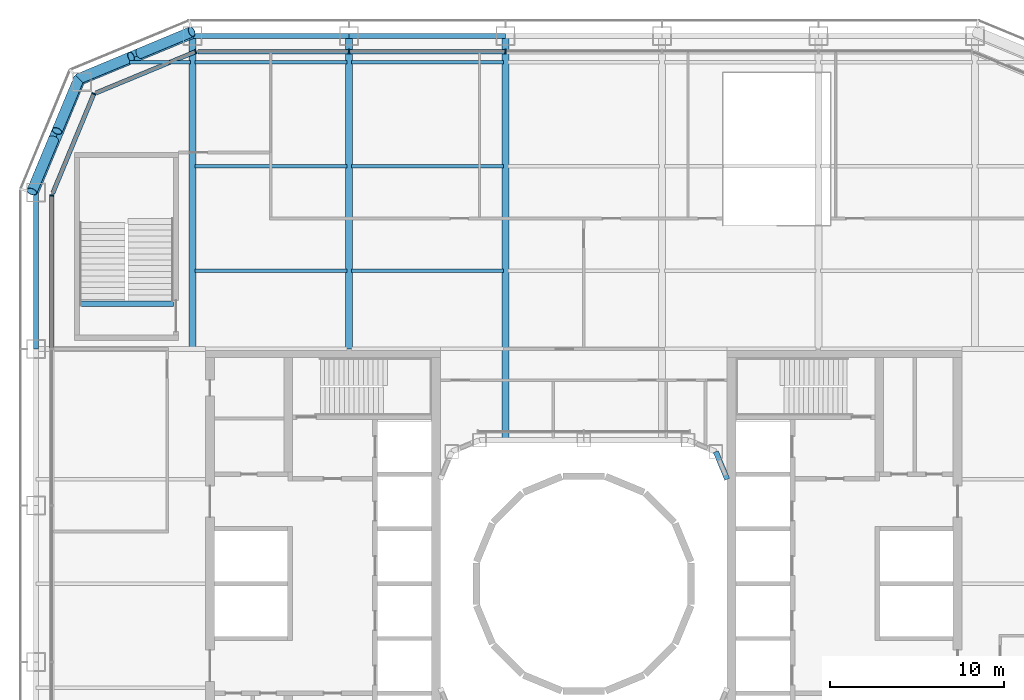
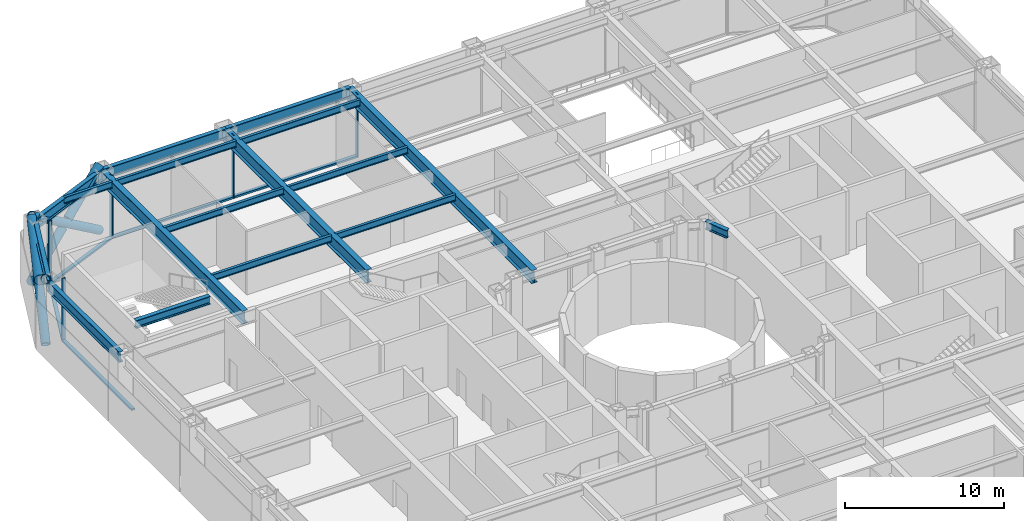
# One storey, part 7 of 24: 17 beams, 16 members, 4 elements without a shape of their own.
"""IFC4 building model written with IfcOpenShell, lengths in metres."""

from ifc_helpers import new_model, si_unit, direction, frame, origin, origin_2d, place, context, subcontext, project, spatial, rectangle, hollow_circle, i_section, extrude, material, layer, layer_set, material_profile, profile_set, type_object, element, aggregate, save


model = new_model("IFC4")

# Units and contexts
model_context = context("Model", 3, precision=1e-05, world=origin(), true_north=direction((0.0, 1.0)))
body_context = subcontext(model_context, "Body", "Model", "MODEL_VIEW")
ifc_project = project(units=[si_unit("LENGTHUNIT", "METRE"), si_unit("AREAUNIT", "SQUARE_METRE"), si_unit("VOLUMEUNIT", "CUBIC_METRE"), si_unit("PLANEANGLEUNIT", "RADIAN"), si_unit("MASSUNIT", "GRAM", prefix="KILO")], contexts=[model_context])

# Site, building, storey
site_placement = place(None, origin())
site = spatial("IfcSite", under=ifc_project, at=site_placement, CompositionType="ELEMENT")
building_placement = place(site_placement, origin())
building = spatial("IfcBuilding", under=site, at=building_placement, Name="Siwar Civic Tower", CompositionType="ELEMENT")
storey_placement = place(building_placement, frame((0.0, 0.0, 12.199951171875)))
storey = spatial("IfcBuildingStorey", under=building, at=storey_placement, Name="L02", CompositionType="ELEMENT", Elevation=12.199951171875)

# Curtain wall, members
ifc_material_1 = material(Name="Aluminium and glass", Category="aluminium")
ifc_layer_1 = layer(ifc_material_1, 0.25)
ifc_layer_set_1 = layer_set([ifc_layer_1], Name="Aluminium and glass")
curtain_wall_type_1 = type_object("IfcCurtainWallType", Name="ENV-CW-H", PredefinedType="NOTDEFINED", material=ifc_layer_set_1)
curtain_wall_1_placement = place(storey_placement, origin())
curtain_wall_1 = element("IfcCurtainWall", 1, at=curtain_wall_1_placement, inside=storey, type_object=curtain_wall_type_1, Name="Curtain wall H N", PredefinedType="NOTDEFINED")
ifc_material_2 = material(Name="Aluminium 6063-T6", Category="aluminium")
ifc_material_profile_1 = material_profile(ifc_material_2, rectangle(XDim=0.25, YDim=0.080078125, at=origin_2d()), Name="AL 250x80")
ifc_profile_set_1 = profile_set([ifc_material_profile_1], Name="Aluminium 6063-T6")
member_type_1 = type_object("IfcMemberType", Name="ENV-MULLION-H", PredefinedType="MULLION", material=ifc_profile_set_1)
member_1_placement = place(storey_placement, frame((-4.5, 30.60009765625, 0.0), z_axis=(0.0, 0.0, 1.0), x_axis=(0.0, -1.0, 0.0)))
member_1 = element("IfcMember", 2, at=member_1_placement, type_object=member_type_1, Name="Mullion H N 4", PredefinedType="MULLION", context=body_context, shape_type="SweptSolid", body=[
    extrude(rectangle(XDim=0.25, YDim=0.080078125, at=origin_2d()), origin(), (0.0, 0.0, 1.0), 4.85009765625),
])
member_2_placement = place(storey_placement, frame((-13.5, 30.60009765625, 0.0), z_axis=(0.0, 0.0, 1.0), x_axis=(0.0, -1.0, 0.0)))
member_2 = element("IfcMember", 3, at=member_2_placement, type_object=member_type_1, Name="Mullion H N 5", PredefinedType="MULLION", context=body_context, shape_type="SweptSolid", body=[
    extrude(rectangle(XDim=0.25, YDim=0.080078125, at=origin_2d()), origin(), (0.0, 0.0, 1.0), 4.85009765625),
])

# Curtain wall, member
ifc_material_3 = material(Name="Aluminium clad insulated panel", Category="aluminium")
ifc_layer_2 = layer(ifc_material_3, 0.25)
ifc_layer_set_2 = layer_set([ifc_layer_2], Name="Aluminium clad insulated panel")
curtain_wall_type_2 = type_object("IfcCurtainWallType", Name="ENV-CW-HX", PredefinedType="NOTDEFINED", material=ifc_layer_set_2)
curtain_wall_2_placement = place(storey_placement, origin())
curtain_wall_2 = element("IfcCurtainWall", 4, at=curtain_wall_2_placement, inside=storey, type_object=curtain_wall_type_2, Name="Curtain wall H NW1", PredefinedType="NOTDEFINED")
member_3_placement = place(storey_placement, frame((-22.321044921875, 30.60009765625, 0.0), z_axis=(0.0, 0.0, 1.0), x_axis=(0.382683432365, -0.923879532511, 0.0)))
member_3 = element("IfcMember", 5, at=member_3_placement, type_object=member_type_1, Name="Mullion H NW1 1", PredefinedType="MULLION", context=body_context, shape_type="SweptSolid", body=[
    extrude(rectangle(XDim=0.25, YDim=0.080078125, at=origin_2d()), origin(), (0.0, 0.0, 1.0), 4.85009765625),
])

curtain_wall_3_placement = place(storey_placement, origin())
curtain_wall_3 = element("IfcCurtainWall", 6, at=curtain_wall_3_placement, inside=storey, type_object=curtain_wall_type_2, Name="Curtain wall H NW2", PredefinedType="NOTDEFINED")
member_4_placement = place(storey_placement, frame((-28.175048828125, 28.175048828125, 0.0), z_axis=(0.0, 0.0, 1.0), x_axis=(0.923879532511, -0.382683432365, 0.0)))
member_4 = element("IfcMember", 7, at=member_4_placement, type_object=member_type_1, Name="Mullion H NW2 1", PredefinedType="MULLION", context=body_context, shape_type="SweptSolid", body=[
    extrude(rectangle(XDim=0.25, YDim=0.080078125, at=origin_2d()), origin(), (0.0, 0.0, 1.0), 4.85009765625),
])

curtain_wall_4_placement = place(storey_placement, origin())
curtain_wall_4 = element("IfcCurtainWall", 8, at=curtain_wall_4_placement, inside=storey, type_object=curtain_wall_type_1, Name="Curtain wall H W", PredefinedType="NOTDEFINED")
member_5_placement = place(storey_placement, frame((-30.60009765625, 22.321044921875, 0.0), z_axis=(0.0, 0.0, 1.0), x_axis=(1.0, 0.0, 0.0)))
member_5 = element("IfcMember", 9, at=member_5_placement, type_object=member_type_1, Name="Mullion H W 1", PredefinedType="MULLION", context=body_context, shape_type="SweptSolid", body=[
    extrude(rectangle(XDim=0.25, YDim=0.080078125, at=origin_2d()), origin(), (0.0, 0.0, 1.0), 4.85009765625),
])

# Member
ifc_material_4 = material(Name="Aluminium 6063-T6", Category="aluminium")
ifc_material_profile_2 = material_profile(ifc_material_4, rectangle(XDim=0.25, YDim=0.139892578125, at=origin_2d()), Name="AL 250x140")
ifc_profile_set_2 = profile_set([ifc_material_profile_2], Name="Aluminium 6063-T6")
member_type_2 = type_object("IfcMemberType", Name="ENV-TRANSOM-H", PredefinedType="USERDEFINED", material=ifc_profile_set_2)
member_6_placement = place(storey_placement, frame((-4.5400390625, 30.60009765625, 0.070068359375), z_axis=(-1.0, 0.0, 0.0), x_axis=(0.0, -1.0, 0.0)))
member_6 = element("IfcMember", 10, at=member_6_placement, type_object=member_type_2, Name="Transom H N 4", ObjectType="TRANSOM", PredefinedType="USERDEFINED", context=body_context, shape_type="SweptSolid", body=[
    extrude(rectangle(XDim=0.25, YDim=0.139892578125, at=origin_2d()), origin(), (0.0, 0.0, 1.0), 8.919921875),
])

member_7_placement = place(storey_placement, frame((-13.5400390625, 30.60009765625, 0.070068359375), z_axis=(-1.0, 0.0, 0.0), x_axis=(0.0, -1.0, 0.0)))
member_7 = element("IfcMember", 11, at=member_7_placement, type_object=member_type_2, Name="Transom H N 5", ObjectType="TRANSOM", PredefinedType="USERDEFINED", context=body_context, shape_type="SweptSolid", body=[
    extrude(rectangle(XDim=0.25, YDim=0.139892578125, at=origin_2d()), origin(), (0.0, 0.0, 1.0), 8.644287109375),
])

aggregate(curtain_wall_1, [member_1, member_2, member_6, member_7])

member_8_placement = place(storey_placement, frame((-22.35791015625, 30.584716796875, 0.070068359375), z_axis=(-0.92388399052, -0.382672669604, 0.0), x_axis=(0.382672669604, -0.92388399052, 0.0)))
member_8 = element("IfcMember", 12, at=member_8_placement, type_object=member_type_2, Name="Transom H NW1 1", ObjectType="TRANSOM", PredefinedType="USERDEFINED", context=body_context, shape_type="SweptSolid", body=[
    extrude(rectangle(XDim=0.25, YDim=0.139892578125, at=origin_2d()), origin(), (0.0, 0.0, 1.0), 6.15966796875),
])

aggregate(curtain_wall_2, [member_3, member_8])

member_9_placement = place(storey_placement, frame((-28.1904296875, 28.13818359375, 0.070068359375), z_axis=(-0.382672669604, -0.92388399052, 0.0), x_axis=(0.92388399052, -0.382672669604, 0.0)))
member_9 = element("IfcMember", 13, at=member_9_placement, type_object=member_type_2, Name="Transom H NW2 1", ObjectType="TRANSOM", PredefinedType="USERDEFINED", context=body_context, shape_type="SweptSolid", body=[
    extrude(rectangle(XDim=0.25, YDim=0.139892578125, at=origin_2d()), origin(), (0.0, 0.0, 1.0), 6.15966796875),
])

aggregate(curtain_wall_3, [member_4, member_9])

member_10_placement = place(storey_placement, frame((-30.60009765625, 22.281005859375, 0.070068359375), z_axis=(0.0, -1.0, 0.0), x_axis=(1.0, 0.0, 0.0)))
member_10 = element("IfcMember", 14, at=member_10_placement, type_object=member_type_2, Name="Transom H W 1", ObjectType="TRANSOM", PredefinedType="USERDEFINED", context=body_context, shape_type="SweptSolid", body=[
    extrude(rectangle(XDim=0.25, YDim=0.139892578125, at=origin_2d()), origin(), (0.0, 0.0, 1.0), 8.740966796875),
])

aggregate(curtain_wall_4, [member_5, member_10])

# Members
ifc_material_5 = material(Name="Steel S355", Category="steel")
ifc_material_profile_3 = material_profile(ifc_material_5, hollow_circle(Radius=0.304931640625, WallThickness=0.030029296875, at=origin_2d()), Name="CHS610x30")
ifc_profile_set_3 = profile_set([ifc_material_profile_3], Name="Steel S355")
member_type_3 = type_object("IfcMemberType", Name="STR-BR-CHS610x30", PredefinedType="BRACE", material=ifc_profile_set_3)
member_11_placement = place(storey_placement, frame((-31.7451171875, 22.548828125, 0.0), z_axis=(0.313403721941, 0.752344350468, 0.579444635312), x_axis=(-0.923108759191, 0.384538969033, 0.0)))
element("IfcMember", 15, at=member_11_placement, inside=storey, type_object=member_type_3, Name="L02/brc/ANW1-1-0-1", PredefinedType="BRACE", context=body_context, shape_type="SweptSolid", body=[
    extrude(hollow_circle(Radius=0.304931640625, WallThickness=0.030029296875, at=origin_2d()), origin(), (0.0, 0.0, 1.0), 8.62890625),
])
for number, where, z_axis, x_axis, name in (
    (16, (-29.040771484375, 29.040771484375, 0.0), (-0.313373422739, -0.752340560323, 0.5794659431), (0.923121267833, -0.384508939914, 0.0), "L02/brc/ANW1-1-0-2"),
    (17, (-30.49267578125, 25.5556640625, 2.684326171875), (-0.313384515382, -0.752367191316, 0.57942536616), (0.923121267833, -0.384508939914, 0.0), "L02/brc/ANW1-1-0-3"),
):
    element("IfcMember", number, at=place(storey_placement, frame(where, z_axis=z_axis, x_axis=x_axis)), inside=storey, type_object=member_type_3, Name=name, PredefinedType="BRACE", context=body_context, shape_type="SweptSolid", body=[
        extrude(hollow_circle(Radius=0.304931640625, WallThickness=0.030029296875, at=origin_2d()), origin(), (0.0, 0.0, 1.0), 3.99658203125),
    ])
member_12_placement = place(storey_placement, frame((-22.548828125, 31.7451171875, 0.0), z_axis=(-0.752344350468, -0.313403721941, 0.579444635312), x_axis=(0.384538969033, -0.923108759191, 0.0)))
element("IfcMember", 18, at=member_12_placement, inside=storey, type_object=member_type_3, Name="L02/brc/ANW1-1-0-0", PredefinedType="BRACE", context=body_context, shape_type="SweptSolid", body=[
    extrude(hollow_circle(Radius=0.304931640625, WallThickness=0.030029296875, at=origin_2d()), origin(), (0.0, 0.0, 1.0), 8.62890625),
])
for number, where, z_axis, x_axis, name in (
    (19, (-29.040771484375, 29.040771484375, 0.0), (0.752340560323, 0.313373422739, 0.5794659431), (-0.384508939914, 0.923121267833, 0.0), "L02/brc/ANW1-1-0-4"),
    (20, (-25.5556640625, 30.49267578125, 2.684326171875), (0.752367191316, 0.313384515382, 0.57942536616), (-0.384508939914, 0.923121267833, 0.0), "L02/brc/ANW1-1-0-5"),
):
    element("IfcMember", number, at=place(storey_placement, frame(where, z_axis=z_axis, x_axis=x_axis)), inside=storey, type_object=member_type_3, Name=name, PredefinedType="BRACE", context=body_context, shape_type="SweptSolid", body=[
        extrude(hollow_circle(Radius=0.304931640625, WallThickness=0.030029296875, at=origin_2d()), origin(), (0.0, 0.0, 1.0), 3.99658203125),
    ])

# Beams
ifc_material_6 = material(Name="Steel S355", Category="steel")
ifc_material_profile_4 = material_profile(ifc_material_6, i_section(OverallWidth=0.199951171875, OverallDepth=0.5, WebThickness=0.01025390625, FlangeThickness=0.01611328125, FilletRadius=0.02099609375, at=origin_2d()), Name="IPE500")
ifc_profile_set_4 = profile_set([ifc_material_profile_4], Name="Steel S355")
beam_type_1 = type_object("IfcBeamType", Name="STR-FB-IPE500", PredefinedType="JOIST", material=ifc_profile_set_4)
for number, where, z_axis, x_axis, name in (
    (21, (-22.3701171875, 18.0, 4.60009765625), (1.0, 0.0, 0.0), (0.0, 1.0, 0.0), "L02/bm/F044"),
    (22, (-13.3701171875, 18.0, 4.60009765625), (1.0, 0.0, 0.0), (0.0, 1.0, 0.0), "L02/bm/F045"),
    (23, (-22.3701171875, 24.0, 4.60009765625), (1.0, 0.0, 0.0), (0.0, 1.0, 0.0), "L02/bm/F050"),
    (24, (-13.3701171875, 24.0, 4.60009765625), (1.0, 0.0, 0.0), (0.0, 1.0, 0.0), "L02/bm/F051"),
):
    element("IfcBeam", number, at=place(storey_placement, frame(where, z_axis=z_axis, x_axis=x_axis)), inside=storey, type_object=beam_type_1, Name=name, PredefinedType="JOIST", context=body_context, shape_type="SweptSolid", body=[
        extrude(i_section(OverallWidth=0.199951171875, OverallDepth=0.5, WebThickness=0.01025390625, FlangeThickness=0.01611328125, FilletRadius=0.02099609375, at=origin_2d()), origin(), (0.0, 0.0, 1.0), 8.740234375),
    ])
beam_1_placement = place(storey_placement, frame((-26.121337890625, 30.0, 4.60009765625), z_axis=(1.0, 0.0, 0.0), x_axis=(0.0, 1.0, 0.0)))
element("IfcBeam", 25, at=beam_1_placement, inside=storey, type_object=beam_type_1, Name="L02/bm/F056", PredefinedType="JOIST", context=body_context, shape_type="SweptSolid", body=[
    extrude(i_section(OverallWidth=0.199951171875, OverallDepth=0.5, WebThickness=0.01025390625, FlangeThickness=0.01611328125, FilletRadius=0.02099609375, at=origin_2d()), origin(), (0.0, 0.0, 1.0), 3.491455078125),
])
for number, where, z_axis, x_axis, name in (
    (26, (-22.3701171875, 30.0, 4.60009765625), (1.0, 0.0, 0.0), (0.0, 1.0, 0.0), "L02/bm/F057"),
    (27, (-13.3701171875, 30.0, 4.60009765625), (1.0, 0.0, 0.0), (0.0, 1.0, 0.0), "L02/bm/F058"),
):
    element("IfcBeam", number, at=place(storey_placement, frame(where, z_axis=z_axis, x_axis=x_axis)), inside=storey, type_object=beam_type_1, Name=name, PredefinedType="JOIST", context=body_context, shape_type="SweptSolid", body=[
        extrude(i_section(OverallWidth=0.199951171875, OverallDepth=0.5, WebThickness=0.01025390625, FlangeThickness=0.01611328125, FilletRadius=0.02099609375, at=origin_2d()), origin(), (0.0, 0.0, 1.0), 8.740234375),
    ])
ifc_material_7 = material(Name="Steel S355", Category="steel")
ifc_material_profile_5 = material_profile(ifc_material_7, i_section(OverallWidth=0.39990234375, OverallDepth=1.0, WebThickness=0.01611328125, FlangeThickness=0.0400390625, at=origin_2d()), Name="PG1000x400x16x40")
ifc_profile_set_5 = profile_set([ifc_material_profile_5], Name="Steel S355")
beam_type_2 = type_object("IfcBeamType", Name="STR-PG-PG1000x400x16x40", PredefinedType="BEAM", material=ifc_profile_set_5)
for number, where, z_axis, x_axis, name in (
    (28, (-22.5, 13.5, 4.35009765625), (0.0, 1.0, 0.0), (-1.0, 0.0, 0.0), "L02/bm/G02"),
    (29, (-13.5, 13.5, 4.35009765625), (0.0, 1.0, 0.0), (-1.0, 0.0, 0.0), "L02/bm/G04"),
):
    element("IfcBeam", number, at=place(storey_placement, frame(where, z_axis=z_axis, x_axis=x_axis)), inside=storey, type_object=beam_type_2, Name=name, PredefinedType="BEAM", context=body_context, shape_type="SweptSolid", body=[
        extrude(i_section(OverallWidth=0.39990234375, OverallDepth=1.0, WebThickness=0.01611328125, FlangeThickness=0.0400390625, at=origin_2d()), origin(), (0.0, 0.0, 1.0), 18.0),
    ])
beam_2_placement = place(storey_placement, frame((-4.5, 8.25, 4.35009765625), z_axis=(0.0, 1.0, 0.0), x_axis=(-1.0, 0.0, 0.0)))
element("IfcBeam", 30, at=beam_2_placement, inside=storey, type_object=beam_type_2, Name="L02/bm/G06", PredefinedType="BEAM", context=body_context, shape_type="SweptSolid", body=[
    extrude(i_section(OverallWidth=0.39990234375, OverallDepth=1.0, WebThickness=0.01611328125, FlangeThickness=0.0400390625, at=origin_2d()), origin(), (0.0, 0.0, 1.0), 23.25),
])
ifc_material_8 = material(Name="Steel S355", Category="steel")
ifc_material_profile_6 = material_profile(ifc_material_8, i_section(OverallWidth=0.304931640625, OverallDepth=0.6201171875, WebThickness=0.02099609375, FlangeThickness=0.0400390625, FilletRadius=0.027099609375, at=origin_2d()), Name="HEM600")
ifc_profile_set_6 = profile_set([ifc_material_profile_6], Name="Steel S355")
beam_type_3 = type_object("IfcBeamType", Name="STR-RB-HEM600", PredefinedType="BEAM", material=ifc_profile_set_6)
beam_3_placement = place(storey_placement, frame((7.591064453125, 7.591064453125, 4.5400390625), z_axis=(0.382631424892, -0.923901072997, 0.0), x_axis=(0.923901072997, 0.382631424892, 0.0)))
element("IfcBeam", 31, at=beam_3_placement, inside=storey, type_object=beam_type_3, Name="L02/bm/RNEE", PredefinedType="BEAM", context=body_context, shape_type="SweptSolid", body=[
    extrude(i_section(OverallWidth=0.304931640625, OverallDepth=0.6201171875, WebThickness=0.02099609375, FlangeThickness=0.0400390625, FilletRadius=0.027099609375, at=origin_2d()), origin(), (0.0, 0.0, 1.0), 1.72216796875),
])
beam_4_placement = place(storey_placement, frame((-29.0, 16.097412109375, 4.5400390625), z_axis=(1.0, 0.0, 0.0), x_axis=(0.0, 1.0, 0.0)))
element("IfcBeam", 32, at=beam_4_placement, inside=storey, type_object=beam_type_3, Name="Stair opening beam ST5", PredefinedType="BEAM", context=body_context, shape_type="SweptSolid", body=[
    extrude(i_section(OverallWidth=0.304931640625, OverallDepth=0.6201171875, WebThickness=0.02099609375, FlangeThickness=0.0400390625, FilletRadius=0.027099609375, at=origin_2d()), origin(), (0.0, 0.0, 1.0), 5.39990234375),
])
ifc_material_9 = material(Name="Steel S355", Category="steel")
ifc_material_profile_7 = material_profile(ifc_material_9, i_section(OverallWidth=0.302978515625, OverallDepth=0.81396484375, WebThickness=0.02099609375, FlangeThickness=0.0400390625, FilletRadius=0.030029296875, at=origin_2d()), Name="HEM800")
ifc_profile_set_7 = profile_set([ifc_material_profile_7], Name="Steel S355")
beam_type_4 = type_object("IfcBeamType", Name="STR-SB-HEM800", PredefinedType="BEAM", material=ifc_profile_set_7)
for number, where, z_axis, x_axis, name in (
    (33, (-4.5, 31.5, 4.443115234375), (-1.0, 0.0, 0.0), (0.0, -1.0, 0.0), "L02/bm/SN-3"),
    (34, (-13.5, 31.5, 4.443115234375), (-1.0, 0.0, 0.0), (0.0, -1.0, 0.0), "L02/bm/SN-4"),
):
    element("IfcBeam", number, at=place(storey_placement, frame(where, z_axis=z_axis, x_axis=x_axis)), inside=storey, type_object=beam_type_4, Name=name, PredefinedType="BEAM", context=body_context, shape_type="SweptSolid", body=[
        extrude(i_section(OverallWidth=0.302978515625, OverallDepth=0.81396484375, WebThickness=0.02099609375, FlangeThickness=0.0400390625, FilletRadius=0.030029296875, at=origin_2d()), origin(), (0.0, 0.0, 1.0), 9.0),
    ])
for number, where, z_axis, x_axis, name in (
    (35, (-22.5, 31.5, 4.443115234375), (-0.923883353507, -0.382674207535, 0.0), (0.382674207535, -0.923883353507, 0.0), "L02/bm/SNW1-0"),
    (36, (-28.864013671875, 28.864013671875, 4.443115234375), (-0.382674207535, -0.923883353507, 0.0), (0.923883353507, -0.382674207535, 0.0), "L02/bm/SNW2-0"),
):
    element("IfcBeam", number, at=place(storey_placement, frame(where, z_axis=z_axis, x_axis=x_axis)), inside=storey, type_object=beam_type_4, Name=name, PredefinedType="BEAM", context=body_context, shape_type="SweptSolid", body=[
        extrude(i_section(OverallWidth=0.302978515625, OverallDepth=0.81396484375, WebThickness=0.02099609375, FlangeThickness=0.0400390625, FilletRadius=0.030029296875, at=origin_2d()), origin(), (0.0, 0.0, 1.0), 6.888427734375),
    ])
beam_5_placement = place(storey_placement, frame((-31.5, 22.5, 4.443115234375), z_axis=(0.0, -1.0, 0.0), x_axis=(1.0, 0.0, 0.0)))
element("IfcBeam", 37, at=beam_5_placement, inside=storey, type_object=beam_type_4, Name="L02/bm/SW-0", PredefinedType="BEAM", context=body_context, shape_type="SweptSolid", body=[
    extrude(i_section(OverallWidth=0.302978515625, OverallDepth=0.81396484375, WebThickness=0.02099609375, FlangeThickness=0.0400390625, FilletRadius=0.030029296875, at=origin_2d()), origin(), (0.0, 0.0, 1.0), 9.0),
])

save(model, "model.ifc")
